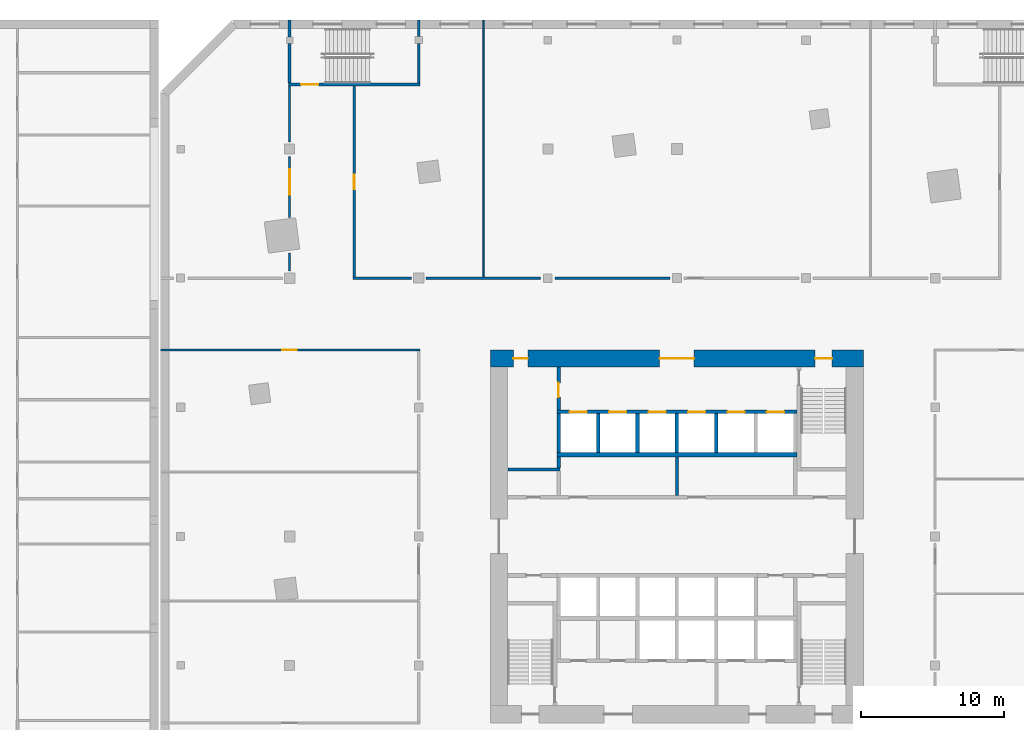
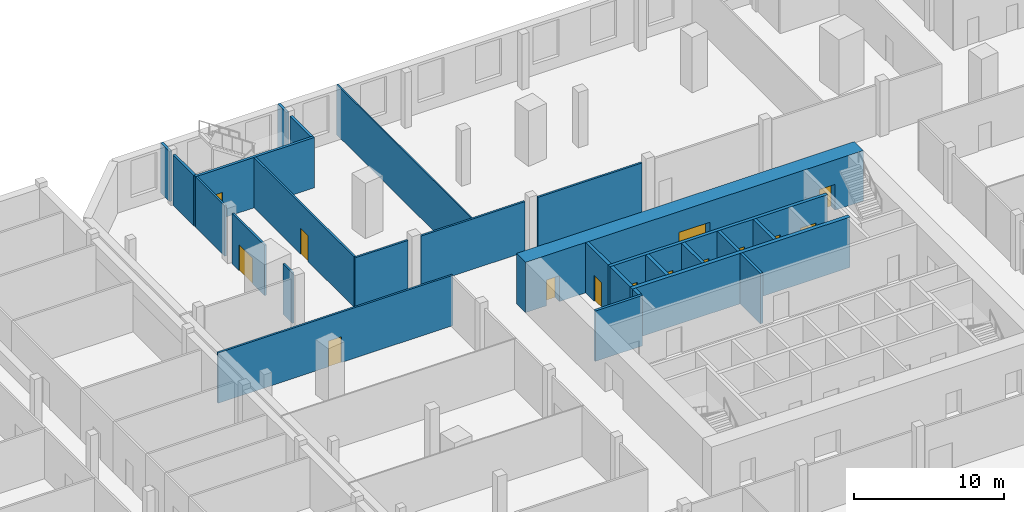
# One storey, part 11 of 20: 26 walls, 14 doors, 14 openings.
"""IFC4 building model written with IfcOpenShell, lengths in metres."""

from ifc_helpers import new_model, si_unit, direction, frame, frame_2d, origin, place, context, subcontext, project, spatial, rectangle, extrude, material, layer, layer_set, type_object, element, fill, save


model = new_model("IFC4")

# Units and contexts
model_context = context("Model", 3, precision=1e-05, world=origin(), true_north=direction((0.0, 1.0)))
body_context = subcontext(model_context, "Body", "Model", "MODEL_VIEW")
ifc_project = project(units=[si_unit("LENGTHUNIT", "METRE"), si_unit("AREAUNIT", "SQUARE_METRE"), si_unit("VOLUMEUNIT", "CUBIC_METRE"), si_unit("PLANEANGLEUNIT", "RADIAN"), si_unit("MASSUNIT", "GRAM", prefix="KILO")], contexts=[model_context])

# Site, building, storey
site_placement = place(None, origin())
site = spatial("IfcSite", under=ifc_project, at=site_placement, CompositionType="ELEMENT")
building_placement = place(site_placement, origin())
building = spatial("IfcBuilding", under=site, at=building_placement, Name="Dilmun Exchange Tower", CompositionType="ELEMENT")
storey_placement = place(building_placement, frame((0.0, 0.0, 9.0)))
storey = spatial("IfcBuildingStorey", under=building, at=storey_placement, Name="L02", CompositionType="ELEMENT", Elevation=9.0)

# Walls
ifc_material_1 = material(Name="Concrete C40/50", Category="concrete")
ifc_layer_1 = layer(ifc_material_1, 0.199951171875)
ifc_layer_set_1 = layer_set([ifc_layer_1], Name="Concrete C40/50")
wall_type_1 = type_object("IfcWallType", Name="Core partition wall 200", PredefinedType="PARTITIONING", material=ifc_layer_set_1)
wall_1_placement = place(storey_placement, frame((0.0, 2.85498046875, 0.0), z_axis=(0.0, 0.0, 1.0), x_axis=(0.0, 1.0, 0.0)))
element("IfcWall", 1, at=wall_1_placement, inside=storey, type_object=wall_type_1, Name="L02 core partition wall 10", PredefinedType="PARTITIONING", context=body_context, shape_type="SweptSolid", body=[
    extrude(rectangle(XDim=2.68994140625, YDim=0.199951171875, at=frame_2d((1.344970703125, 0.0))), origin(), (0.0, 0.0, 1.0), 4.10009765625),
])
wall_2_placement = place(storey_placement, frame((-11.794921875, 4.675048828125, 0.0), z_axis=(0.0, 0.0, 1.0), x_axis=(1.0, 0.0, 0.0)))
element("IfcWall", 2, at=wall_2_placement, inside=storey, type_object=wall_type_1, Name="L02 core partition wall 12", PredefinedType="PARTITIONING", context=body_context, shape_type="SweptSolid", body=[
    extrude(rectangle(XDim=3.64501953125, YDim=0.199951171875, at=frame_2d((1.822509765625, 0.0))), origin(), (0.0, 0.0, 1.0), 4.10009765625),
])
ifc_layer_2 = layer(ifc_material_1, 0.25)
ifc_layer_set_2 = layer_set([ifc_layer_2], Name="Concrete C40/50")
wall_type_2 = type_object("IfcWallType", Name="Core partition wall 250", PredefinedType="PARTITIONING", material=ifc_layer_set_2)
wall_3_placement = place(storey_placement, frame((-8.25, 4.780029296875, 0.0), z_axis=(0.0, 0.0, 1.0), x_axis=(0.0, 1.0, 0.0)))
element("IfcWall", 3, at=wall_3_placement, inside=storey, type_object=wall_type_2, Name="L02 core partition wall 13", PredefinedType="PARTITIONING", context=body_context, shape_type="SweptSolid", body=[
    extrude(rectangle(XDim=0.764892578125, YDim=0.25, at=frame_2d((0.38232421875, 0.0))), origin(), (0.0, 0.0, 1.0), 4.10009765625),
])

# Wall, opening, door
wall_4_placement = place(storey_placement, frame((-8.25, 8.804931640625, 0.0), z_axis=(0.0, 0.0, 1.0), x_axis=(0.0, 1.0, 0.0)))
wall_4 = element("IfcWall", 4, at=wall_4_placement, inside=storey, type_object=wall_type_2, Name="L02 core partition wall 14", PredefinedType="PARTITIONING", context=body_context, shape_type="SweptSolid", body=[
    extrude(rectangle(XDim=2.989990234375, YDim=0.25, at=frame_2d((1.4951171875, 0.0))), origin(), (0.0, 0.0, 1.0), 4.10009765625),
])
opening_1_placement = place(wall_4_placement, frame((0.89501953125, 0.0, 0.0)))
opening_1 = element("IfcOpeningElement", 5, at=opening_1_placement, cuts=wall_4, Name="Opening CD4", PredefinedType="OPENING", context=body_context, shape_type="SweptSolid", body=[
    extrude(rectangle(XDim=1.0, YDim=2.10009765625, at=frame_2d((0.5, 1.050048828125))), frame((0.0, 0.135009765625, 0.0), z_axis=(0.0, -1.0, 0.0), x_axis=(1.0, 0.0, 0.0)), (0.0, 0.0, 1.0), 0.27001953125),
])
ifc_material_2 = material(Name="Fire-rated steel door set", Category="steel")
door_type_1 = type_object("IfcDoorType", Name="Core room door 1000x2100", OperationType="SINGLE_SWING_LEFT", PredefinedType="DOOR", material=ifc_material_2)
door_1_placement = place(opening_1_placement, origin())
door_1 = element("IfcDoor", 6, at=door_1_placement, inside=storey, type_object=door_type_1, Name="L02 door Building services room", OperationType="SINGLE_SWING_LEFT", OverallHeight=2.10009765625, OverallWidth=1.0, PredefinedType="DOOR", context=body_context, shape_type="SweptSolid", body=[
    extrude(rectangle(XDim=1.0, YDim=2.10009765625, at=frame_2d((0.5, 1.050048828125))), frame((0.0, 0.02490234375, 0.0), z_axis=(0.0, -1.0, 0.0), x_axis=(1.0, 0.0, 0.0)), (0.0, 0.0, 1.0), 0.050048828125),
])
fill(opening_1, door_1)

# Wall, openings, doors
ifc_material_3 = material(Name="Concrete C80/95", Category="concrete")
ifc_layer_3 = layer(ifc_material_3, 1.199951171875)
ifc_layer_set_3 = layer_set([ifc_layer_3], Name="Concrete C80/95")
wall_type_3 = type_object("IfcWallType", Name="Core shear wall 1200 Concrete C80/95", PredefinedType="SHEAR", material=ifc_layer_set_3)
wall_5_placement = place(storey_placement, frame((-13.0, 12.39990234375, 0.0), z_axis=(0.0, 0.0, 1.0), x_axis=(1.0, 0.0, 0.0)))
wall_5 = element("IfcWall", 7, at=wall_5_placement, inside=storey, type_object=wall_type_3, Name="L02 core shear wall N", PredefinedType="SHEAR", context=body_context, shape_type="SweptSolid", body=[
    extrude(rectangle(XDim=26.0, YDim=1.199951171875, at=frame_2d((13.0, 0.0))), origin(), (0.0, 0.0, 1.0), 4.10009765625),
])
opening_2_placement = place(wall_5_placement, frame((11.800048828125, 0.0, 0.0)))
opening_2 = element("IfcOpeningElement", 8, at=opening_2_placement, cuts=wall_5, Name="Opening CD1", PredefinedType="OPENING", context=body_context, shape_type="SweptSolid", body=[
    extrude(rectangle(XDim=2.39990234375, YDim=2.39990234375, at=frame_2d((1.199951171875, 1.199951171875))), frame((0.0, 0.60986328125, 0.0), z_axis=(0.0, -1.0, 0.0), x_axis=(1.0, 0.0, 0.0)), (0.0, 0.0, 1.0), 1.219970703125),
])
opening_3_placement = place(wall_5_placement, frame((22.625, 0.0, 0.0)))
opening_3 = element("IfcOpeningElement", 9, at=opening_3_placement, cuts=wall_5, Name="Opening CD3", PredefinedType="OPENING", context=body_context, shape_type="SweptSolid", body=[
    extrude(rectangle(XDim=1.199951171875, YDim=2.10009765625, at=frame_2d((0.60009765625, 1.050048828125))), frame((0.0, 0.60986328125, 0.0), z_axis=(0.0, -1.0, 0.0), x_axis=(1.0, 0.0, 0.0)), (0.0, 0.0, 1.0), 1.219970703125),
])
opening_4_placement = place(wall_5_placement, frame((1.60009765625, 0.0, 0.0)))
opening_4 = element("IfcOpeningElement", 10, at=opening_4_placement, cuts=wall_5, Name="Opening CD4", PredefinedType="OPENING", context=body_context, shape_type="SweptSolid", body=[
    extrude(rectangle(XDim=1.0, YDim=2.10009765625, at=frame_2d((0.5, 1.050048828125))), frame((0.0, 0.60986328125, 0.0), z_axis=(0.0, -1.0, 0.0), x_axis=(1.0, 0.0, 0.0)), (0.0, 0.0, 1.0), 1.219970703125),
])
door_type_2 = type_object("IfcDoorType", Name="Core lobby door 2400x2400", OperationType="DOUBLE_DOOR_DOUBLE_SWING", PredefinedType="DOOR", material=ifc_material_2)
door_2_placement = place(opening_2_placement, origin())
door_2 = element("IfcDoor", 11, at=door_2_placement, inside=storey, type_object=door_type_2, Name="L02 door North lift lobby", OperationType="SINGLE_SWING_LEFT", OverallHeight=2.39990234375, OverallWidth=2.39990234375, PredefinedType="DOOR", context=body_context, shape_type="SweptSolid", body=[
    extrude(rectangle(XDim=2.39990234375, YDim=2.39990234375, at=frame_2d((1.199951171875, 1.199951171875))), frame((0.0, 0.02490234375, 0.0), z_axis=(0.0, -1.0, 0.0), x_axis=(1.0, 0.0, 0.0)), (0.0, 0.0, 1.0), 0.050048828125),
])
fill(opening_2, door_2)
door_3_placement = place(opening_4_placement, origin())
door_3 = element("IfcDoor", 12, at=door_3_placement, inside=storey, type_object=door_type_1, Name="L02 door North-west core rooms", OperationType="SINGLE_SWING_LEFT", OverallHeight=2.10009765625, OverallWidth=1.0, PredefinedType="DOOR", context=body_context, shape_type="SweptSolid", body=[
    extrude(rectangle(XDim=1.0, YDim=2.10009765625, at=frame_2d((0.5, 1.050048828125))), frame((0.0, 0.02490234375, 0.0), z_axis=(0.0, -1.0, 0.0), x_axis=(1.0, 0.0, 0.0)), (0.0, 0.0, 1.0), 0.050048828125),
])
fill(opening_4, door_3)
door_type_3 = type_object("IfcDoorType", Name="Stair exit door 1200x2100", OperationType="SINGLE_SWING_LEFT", PredefinedType="DOOR", material=ifc_material_2)
door_4_placement = place(opening_3_placement, origin())
door_4 = element("IfcDoor", 13, at=door_4_placement, inside=storey, type_object=door_type_3, Name="L02 door Stair ST1", OperationType="SINGLE_SWING_LEFT", OverallHeight=2.10009765625, OverallWidth=1.199951171875, PredefinedType="DOOR", context=body_context, shape_type="SweptSolid", body=[
    extrude(rectangle(XDim=1.199951171875, YDim=2.10009765625, at=frame_2d((0.60009765625, 1.050048828125))), frame((0.0, 0.02490234375, 0.0), z_axis=(0.0, -1.0, 0.0), x_axis=(1.0, 0.0, 0.0)), (0.0, 0.0, 1.0), 0.050048828125),
])
fill(opening_3, door_4)

# Wall, opening, door
ifc_material_4 = material(Name="Fire partition EI 60 150 gypsum")
ifc_layer_4 = layer(ifc_material_4, 0.14990234375)
ifc_layer_set_4 = layer_set([ifc_layer_4], Name="Fire partition EI 60 150 gypsum")
wall_type_4 = type_object("IfcWallType", Name="Fire partition EI 60 150 gypsum", PredefinedType="PARTITIONING", material=ifc_layer_set_4)
wall_6_placement = place(storey_placement, frame((-36.0, 13.0, 0.0), z_axis=(0.0, 0.0, 1.0), x_axis=(1.0, 0.0, 0.0)))
wall_6 = element("IfcWall", 14, at=wall_6_placement, inside=storey, type_object=wall_type_4, Name="L02 partition", PredefinedType="PARTITIONING", context=body_context, shape_type="SweptSolid", body=[
    extrude(rectangle(XDim=18.074951171875, YDim=0.14990234375, at=frame_2d((9.03759765625, 0.0))), origin(), (0.0, 0.0, 1.0), 4.10009765625),
])
opening_5_placement = place(wall_6_placement, frame((8.5, 0.0, 0.0)))
opening_5 = element("IfcOpeningElement", 15, at=opening_5_placement, cuts=wall_6, Name="Opening L02-D019", PredefinedType="OPENING", context=body_context, shape_type="SweptSolid", body=[
    extrude(rectangle(XDim=1.0, YDim=2.10009765625, at=frame_2d((0.5, 1.050048828125))), frame((0.0, 0.0849609375, 0.0), z_axis=(0.0, -1.0, 0.0), x_axis=(1.0, 0.0, 0.0)), (0.0, 0.0, 1.0), 0.169921875),
])
ifc_material_5 = material(Name="Fire door FD60 1000 x 2100")
door_type_4 = type_object("IfcDoorType", Name="Fire door FD60 1000 x 2100", OperationType="SINGLE_SWING_LEFT", PredefinedType="DOOR", material=ifc_material_5)
door_5_placement = place(opening_5_placement, origin())
door_5 = element("IfcDoor", 16, at=door_5_placement, inside=storey, type_object=door_type_4, Name="L02 door L02-D019", OperationType="SINGLE_SWING_LEFT", OverallHeight=2.10009765625, OverallWidth=1.0, PredefinedType="DOOR", context=body_context, shape_type="SweptSolid", body=[
    extrude(rectangle(XDim=1.0, YDim=2.10009765625, at=frame_2d((0.5, 1.050048828125))), frame((0.0, 0.02490234375, 0.0), z_axis=(0.0, -1.0, 0.0), x_axis=(1.0, 0.0, 0.0)), (0.0, 0.0, 1.0), 0.050048828125),
])
fill(opening_5, door_5)

# Walls
wall_7_placement = place(storey_placement, frame((-22.574951171875, 18.0, 0.0), z_axis=(0.0, 0.0, 1.0), x_axis=(1.0, 0.0, 0.0)))
element("IfcWall", 17, at=wall_7_placement, inside=storey, type_object=wall_type_4, Name="L02 partition", PredefinedType="PARTITIONING", context=body_context, shape_type="SweptSolid", body=[
    extrude(rectangle(XDim=4.074951171875, YDim=0.14990234375, at=frame_2d((2.03759765625, 0.0))), origin(), (0.0, 0.0, 1.0), 4.10009765625),
])
for number, where, z_axis, x_axis, name in (
    (18, (-17.5, 18.0, 0.0), (0.0, 0.0, 1.0), (1.0, 0.0, 0.0), "L02 partition"),
    (19, (-8.5, 18.0, 0.0), (0.0, 0.0, 1.0), (1.0, 0.0, 0.0), "L02 partition"),
):
    element("IfcWall", number, at=place(storey_placement, frame(where, z_axis=z_axis, x_axis=x_axis)), inside=storey, type_object=wall_type_4, Name=name, PredefinedType="PARTITIONING", context=body_context, shape_type="SweptSolid", body=[
        extrude(rectangle(XDim=8.0, YDim=0.14990234375, at=frame_2d((4.0, 0.0))), origin(), (0.0, 0.0, 1.0), 4.10009765625),
    ])
wall_8_placement = place(storey_placement, frame((-27.0, 18.5, 0.0), z_axis=(0.0, 0.0, 1.0), x_axis=(0.0, 1.0, 0.0)))
element("IfcWall", 20, at=wall_8_placement, inside=storey, type_object=wall_type_4, Name="L02 partition", PredefinedType="PARTITIONING", context=body_context, shape_type="SweptSolid", body=[
    extrude(rectangle(XDim=1.24169921875, YDim=0.14990234375, at=frame_2d((0.620849609375, 0.0))), origin(), (0.0, 0.0, 1.0), 4.10009765625),
])

# Wall, opening, door
wall_9_placement = place(storey_placement, frame((-27.0, 22.21630859375, 0.0), z_axis=(0.0, 0.0, 1.0), x_axis=(0.0, 1.0, 0.0)))
wall_9 = element("IfcWall", 21, at=wall_9_placement, inside=storey, type_object=wall_type_4, Name="L02 partition", PredefinedType="PARTITIONING", context=body_context, shape_type="SweptSolid", body=[
    extrude(rectangle(XDim=4.28369140625, YDim=0.14990234375, at=frame_2d((2.141845703125, 0.0))), origin(), (0.0, 0.0, 1.0), 4.10009765625),
])
opening_6_placement = place(wall_9_placement, frame((1.583740234375, 0.0, 0.0)))
opening_6 = element("IfcOpeningElement", 22, at=opening_6_placement, cuts=wall_9, Name="Opening L02-D008", PredefinedType="OPENING", context=body_context, shape_type="SweptSolid", body=[
    extrude(rectangle(XDim=1.800048828125, YDim=2.10009765625, at=frame_2d((0.89990234375, 1.050048828125))), frame((0.0, 0.0849609375, 0.0), z_axis=(0.0, -1.0, 0.0), x_axis=(1.0, 0.0, 0.0)), (0.0, 0.0, 1.0), 0.169921875),
])
ifc_material_6 = material(Name="Fire door FD60 double 1800 x 2100")
door_type_5 = type_object("IfcDoorType", Name="Fire door FD60 double 1800 x 2100", OperationType="DOUBLE_DOOR_SINGLE_SWING", PredefinedType="DOOR", material=ifc_material_6)
door_6_placement = place(opening_6_placement, origin())
door_6 = element("IfcDoor", 23, at=door_6_placement, inside=storey, type_object=door_type_5, Name="L02 door L02-D008", OperationType="DOUBLE_DOOR_SINGLE_SWING", OverallHeight=2.10009765625, OverallWidth=1.800048828125, PredefinedType="DOOR", context=body_context, shape_type="SweptSolid", body=[
    extrude(rectangle(XDim=1.800048828125, YDim=2.10009765625, at=frame_2d((0.89990234375, 1.050048828125))), frame((0.0, 0.02490234375, 0.0), z_axis=(0.0, -1.0, 0.0), x_axis=(1.0, 0.0, 0.0)), (0.0, 0.0, 1.0), 0.050048828125),
])
fill(opening_6, door_6)

# Wall
wall_10_placement = place(storey_placement, frame((-27.0, 27.5, 0.0), z_axis=(0.0, 0.0, 1.0), x_axis=(0.0, 1.0, 0.0)))
element("IfcWall", 24, at=wall_10_placement, inside=storey, type_object=wall_type_4, Name="L02 partition", PredefinedType="PARTITIONING", context=body_context, shape_type="SweptSolid", body=[
    extrude(rectangle(XDim=3.89990234375, YDim=0.14990234375, at=frame_2d((1.949951171875, 0.0))), origin(), (0.0, 0.0, 1.0), 4.10009765625),
])

# Wall, opening, door
wall_11_placement = place(storey_placement, frame((-22.5, 18.074951171875, 0.0), z_axis=(0.0, 0.0, 1.0), x_axis=(0.0, 1.0, 0.0)))
wall_11 = element("IfcWall", 25, at=wall_11_placement, inside=storey, type_object=wall_type_4, Name="L02 partition", PredefinedType="PARTITIONING", context=body_context, shape_type="SweptSolid", body=[
    extrude(rectangle(XDim=13.324951171875, YDim=0.14990234375, at=frame_2d((6.66259765625, 0.0))), origin(), (0.0, 0.0, 1.0), 4.10009765625),
])
opening_7_placement = place(wall_11_placement, frame((6.125, 0.0, 0.0)))
opening_7 = element("IfcOpeningElement", 26, at=opening_7_placement, cuts=wall_11, Name="Opening L02-D009", PredefinedType="OPENING", context=body_context, shape_type="SweptSolid", body=[
    extrude(rectangle(XDim=1.0, YDim=2.10009765625, at=frame_2d((0.5, 1.050048828125))), frame((0.0, 0.0849609375, 0.0), z_axis=(0.0, -1.0, 0.0), x_axis=(1.0, 0.0, 0.0)), (0.0, 0.0, 1.0), 0.169921875),
])
door_7_placement = place(opening_7_placement, origin())
door_7 = element("IfcDoor", 27, at=door_7_placement, inside=storey, type_object=door_type_4, Name="L02 door L02-D009", OperationType="SINGLE_SWING_LEFT", OverallHeight=2.10009765625, OverallWidth=1.0, PredefinedType="DOOR", context=body_context, shape_type="SweptSolid", body=[
    extrude(rectangle(XDim=1.0, YDim=2.10009765625, at=frame_2d((0.5, 1.050048828125))), frame((0.0, 0.02490234375, 0.0), z_axis=(0.0, -1.0, 0.0), x_axis=(1.0, 0.0, 0.0)), (0.0, 0.0, 1.0), 0.050048828125),
])
fill(opening_7, door_7)

ifc_material_7 = material(Name="Fire wall EI 120 200 blockwork", Category="masonry")
ifc_layer_5 = layer(ifc_material_7, 0.199951171875)
ifc_layer_set_5 = layer_set([ifc_layer_5], Name="Fire wall EI 120 200 blockwork")
wall_type_5 = type_object("IfcWallType", Name="Fire wall EI 120 200 blockwork", PredefinedType="PARTITIONING", material=ifc_layer_set_5)
wall_12_placement = place(storey_placement, frame((-27.074951171875, 31.5, 0.0), z_axis=(0.0, 0.0, 1.0), x_axis=(1.0, 0.0, 0.0)))
wall_12 = element("IfcWall", 28, at=wall_12_placement, inside=storey, type_object=wall_type_5, Name="L02 stair wall", PredefinedType="PARTITIONING", context=body_context, shape_type="SweptSolid", body=[
    extrude(rectangle(XDim=9.175048828125, YDim=0.199951171875, at=frame_2d((4.58740234375, 0.0))), origin(), (0.0, 0.0, 1.0), 4.10009765625),
])
opening_8_placement = place(wall_12_placement, frame((0.875, 0.0, 0.0)))
opening_8 = element("IfcOpeningElement", 29, at=opening_8_placement, cuts=wall_12, Name="Opening L02-D001", PredefinedType="OPENING", context=body_context, shape_type="SweptSolid", body=[
    extrude(rectangle(XDim=1.199951171875, YDim=2.10009765625, at=frame_2d((0.60009765625, 1.050048828125))), frame((0.0, 0.10986328125, 0.0), z_axis=(0.0, -1.0, 0.0), x_axis=(1.0, 0.0, 0.0)), (0.0, 0.0, 1.0), 0.219970703125),
])
ifc_material_8 = material(Name="Stair door FD90 1200 x 2100")
door_type_6 = type_object("IfcDoorType", Name="Stair door FD90 1200 x 2100", OperationType="SINGLE_SWING_LEFT", PredefinedType="DOOR", material=ifc_material_8)
door_8_placement = place(opening_8_placement, origin())
door_8 = element("IfcDoor", 30, at=door_8_placement, inside=storey, type_object=door_type_6, Name="L02 door L02-D001", OperationType="SINGLE_SWING_LEFT", OverallHeight=2.10009765625, OverallWidth=1.199951171875, PredefinedType="DOOR", context=body_context, shape_type="SweptSolid", body=[
    extrude(rectangle(XDim=1.199951171875, YDim=2.10009765625, at=frame_2d((0.60009765625, 1.050048828125))), frame((0.0, 0.02490234375, 0.0), z_axis=(0.0, -1.0, 0.0), x_axis=(1.0, 0.0, 0.0)), (0.0, 0.0, 1.0), 0.050048828125),
])
fill(opening_8, door_8)

# Walls
wall_13_placement = place(storey_placement, frame((-27.0, 31.60009765625, 0.0), z_axis=(0.0, 0.0, 1.0), x_axis=(0.0, 1.0, 0.0)))
element("IfcWall", 31, at=wall_13_placement, inside=storey, type_object=wall_type_5, Name="L02 stair wall", PredefinedType="PARTITIONING", context=body_context, shape_type="SweptSolid", body=[
    extrude(rectangle(XDim=2.77490234375, YDim=0.199951171875, at=frame_2d((1.387451171875, 0.0))), origin(), (0.0, 0.0, 1.0), 4.10009765625),
])
wall_14_placement = place(storey_placement, frame((-27.0, 34.824951171875, 0.0), z_axis=(0.0, 0.0, 1.0), x_axis=(0.0, 1.0, 0.0)))
element("IfcWall", 32, at=wall_14_placement, inside=storey, type_object=wall_type_5, Name="L02 stair wall", PredefinedType="PARTITIONING", context=body_context, shape_type="SweptSolid", body=[
    extrude(rectangle(XDim=1.175048828125, YDim=0.199951171875, at=frame_2d((0.58740234375, 0.0))), origin(), (0.0, 0.0, 1.0), 4.10009765625),
])
wall_15_placement = place(storey_placement, frame((-18.0, 31.60009765625, 0.0), z_axis=(0.0, 0.0, 1.0), x_axis=(0.0, 1.0, 0.0)))
element("IfcWall", 33, at=wall_15_placement, inside=storey, type_object=wall_type_5, Name="L02 stair wall", PredefinedType="PARTITIONING", context=body_context, shape_type="SweptSolid", body=[
    extrude(rectangle(XDim=2.75, YDim=0.199951171875, at=frame_2d((1.375, 0.0))), origin(), (0.0, 0.0, 1.0), 4.10009765625),
])
wall_16_placement = place(storey_placement, frame((-18.0, 34.85009765625, 0.0), z_axis=(0.0, 0.0, 1.0), x_axis=(0.0, 1.0, 0.0)))
element("IfcWall", 34, at=wall_16_placement, inside=storey, type_object=wall_type_5, Name="L02 stair wall", PredefinedType="PARTITIONING", context=body_context, shape_type="SweptSolid", body=[
    extrude(rectangle(XDim=1.14990234375, YDim=0.199951171875, at=frame_2d((0.574951171875, 0.0))), origin(), (0.0, 0.0, 1.0), 4.10009765625),
])
ifc_layer_6 = layer(ifc_material_1, 0.300048828125)
ifc_layer_set_6 = layer_set([ifc_layer_6], Name="Concrete C40/50")
wall_type_6 = type_object("IfcWallType", Name="Lift shaft shared wall 300", PredefinedType="SOLIDWALL", material=ifc_layer_set_6)
wall_17_placement = place(storey_placement, frame((-8.375, 5.699951171875, 0.0), z_axis=(0.0, 0.0, 1.0), x_axis=(1.0, 0.0, 0.0)))
element("IfcWall", 35, at=wall_17_placement, inside=storey, type_object=wall_type_6, Name="L02 lift shaft rear wall N", PredefinedType="SOLIDWALL", context=body_context, shape_type="SweptSolid", body=[
    extrude(rectangle(XDim=16.75, YDim=0.300048828125, at=frame_2d((8.375, 0.0))), origin(), (0.0, 0.0, 1.0), 4.10009765625),
])

# Wall, openings, doors
ifc_layer_7 = layer(ifc_material_1, 0.25)
ifc_layer_set_7 = layer_set([ifc_layer_7], Name="Concrete C40/50")
wall_type_7 = type_object("IfcWallType", Name="Lift shaft wall 250", PredefinedType="SOLIDWALL", material=ifc_layer_set_7)
wall_18_placement = place(storey_placement, frame((-8.375, 8.675048828125, 0.0), z_axis=(0.0, 0.0, 1.0), x_axis=(1.0, 0.0, 0.0)))
wall_18 = element("IfcWall", 36, at=wall_18_placement, inside=storey, type_object=wall_type_7, Name="L02 lift shaft front wall N2", PredefinedType="SOLIDWALL", context=body_context, shape_type="SweptSolid", body=[
    extrude(rectangle(XDim=16.75, YDim=0.25, at=frame_2d((8.375, 0.0))), origin(), (0.0, 0.0, 1.0), 4.10009765625),
])
opening_9_placement = place(wall_18_placement, frame((0.89990234375, 0.0, 0.0)))
opening_9 = element("IfcOpeningElement", 37, at=opening_9_placement, cuts=wall_18, Name="Opening LD", PredefinedType="OPENING", context=body_context, shape_type="SweptSolid", body=[
    extrude(rectangle(XDim=1.199951171875, YDim=2.10009765625, at=frame_2d((0.60009765625, 1.050048828125))), frame((0.0, 0.135009765625, 0.0), z_axis=(0.0, -1.0, 0.0), x_axis=(1.0, 0.0, 0.0)), (0.0, 0.0, 1.0), 0.27001953125),
])
opening_10_placement = place(wall_18_placement, frame((3.64990234375, 0.0, 0.0)))
opening_10 = element("IfcOpeningElement", 38, at=opening_10_placement, cuts=wall_18, Name="Opening LD", PredefinedType="OPENING", context=body_context, shape_type="SweptSolid", body=[
    extrude(rectangle(XDim=1.199951171875, YDim=2.10009765625, at=frame_2d((0.60009765625, 1.050048828125))), frame((0.0, 0.135009765625, 0.0), z_axis=(0.0, -1.0, 0.0), x_axis=(1.0, 0.0, 0.0)), (0.0, 0.0, 1.0), 0.27001953125),
])
opening_11_placement = place(wall_18_placement, frame((6.39990234375, 0.0, 0.0)))
opening_11 = element("IfcOpeningElement", 39, at=opening_11_placement, cuts=wall_18, Name="Opening LD", PredefinedType="OPENING", context=body_context, shape_type="SweptSolid", body=[
    extrude(rectangle(XDim=1.199951171875, YDim=2.10009765625, at=frame_2d((0.60009765625, 1.050048828125))), frame((0.0, 0.135009765625, 0.0), z_axis=(0.0, -1.0, 0.0), x_axis=(1.0, 0.0, 0.0)), (0.0, 0.0, 1.0), 0.27001953125),
])
opening_12_placement = place(wall_18_placement, frame((9.14990234375, 0.0, 0.0)))
opening_12 = element("IfcOpeningElement", 40, at=opening_12_placement, cuts=wall_18, Name="Opening LD", PredefinedType="OPENING", context=body_context, shape_type="SweptSolid", body=[
    extrude(rectangle(XDim=1.199951171875, YDim=2.10009765625, at=frame_2d((0.60009765625, 1.050048828125))), frame((0.0, 0.135009765625, 0.0), z_axis=(0.0, -1.0, 0.0), x_axis=(1.0, 0.0, 0.0)), (0.0, 0.0, 1.0), 0.27001953125),
])
opening_13_placement = place(wall_18_placement, frame((11.89990234375, 0.0, 0.0)))
opening_13 = element("IfcOpeningElement", 41, at=opening_13_placement, cuts=wall_18, Name="Opening LD", PredefinedType="OPENING", context=body_context, shape_type="SweptSolid", body=[
    extrude(rectangle(XDim=1.199951171875, YDim=2.10009765625, at=frame_2d((0.60009765625, 1.050048828125))), frame((0.0, 0.135009765625, 0.0), z_axis=(0.0, -1.0, 0.0), x_axis=(1.0, 0.0, 0.0)), (0.0, 0.0, 1.0), 0.27001953125),
])
opening_14_placement = place(wall_18_placement, frame((14.64990234375, 0.0, 0.0)))
opening_14 = element("IfcOpeningElement", 42, at=opening_14_placement, cuts=wall_18, Name="Opening LD", PredefinedType="OPENING", context=body_context, shape_type="SweptSolid", body=[
    extrude(rectangle(XDim=1.199951171875, YDim=2.10009765625, at=frame_2d((0.60009765625, 1.050048828125))), frame((0.0, 0.135009765625, 0.0), z_axis=(0.0, -1.0, 0.0), x_axis=(1.0, 0.0, 0.0)), (0.0, 0.0, 1.0), 0.27001953125),
])
door_type_7 = type_object("IfcDoorType", Name="Lift landing door 1200x2100", OperationType="DOUBLE_DOOR_SLIDING", PredefinedType="DOOR", material=ifc_material_2)
door_9_placement = place(opening_9_placement, origin())
door_9 = element("IfcDoor", 43, at=door_9_placement, inside=storey, type_object=door_type_7, Name="L02 landing door LR1", OperationType="DOUBLE_DOOR_SLIDING", OverallHeight=2.10009765625, OverallWidth=1.199951171875, PredefinedType="DOOR", context=body_context, shape_type="SweptSolid", body=[
    extrude(rectangle(XDim=1.199951171875, YDim=2.10009765625, at=frame_2d((0.60009765625, 1.050048828125))), frame((0.0, 0.02490234375, 0.0), z_axis=(0.0, -1.0, 0.0), x_axis=(1.0, 0.0, 0.0)), (0.0, 0.0, 1.0), 0.050048828125),
])
fill(opening_9, door_9)
door_10_placement = place(opening_10_placement, origin())
door_10 = element("IfcDoor", 44, at=door_10_placement, inside=storey, type_object=door_type_7, Name="L02 landing door LR2", OperationType="DOUBLE_DOOR_SLIDING", OverallHeight=2.10009765625, OverallWidth=1.199951171875, PredefinedType="DOOR", context=body_context, shape_type="SweptSolid", body=[
    extrude(rectangle(XDim=1.199951171875, YDim=2.10009765625, at=frame_2d((0.60009765625, 1.050048828125))), frame((0.0, 0.02490234375, 0.0), z_axis=(0.0, -1.0, 0.0), x_axis=(1.0, 0.0, 0.0)), (0.0, 0.0, 1.0), 0.050048828125),
])
fill(opening_10, door_10)
door_11_placement = place(opening_11_placement, origin())
door_11 = element("IfcDoor", 45, at=door_11_placement, inside=storey, type_object=door_type_7, Name="L02 landing door LR3", OperationType="DOUBLE_DOOR_SLIDING", OverallHeight=2.10009765625, OverallWidth=1.199951171875, PredefinedType="DOOR", context=body_context, shape_type="SweptSolid", body=[
    extrude(rectangle(XDim=1.199951171875, YDim=2.10009765625, at=frame_2d((0.60009765625, 1.050048828125))), frame((0.0, 0.02490234375, 0.0), z_axis=(0.0, -1.0, 0.0), x_axis=(1.0, 0.0, 0.0)), (0.0, 0.0, 1.0), 0.050048828125),
])
fill(opening_11, door_11)
door_12_placement = place(opening_12_placement, origin())
door_12 = element("IfcDoor", 46, at=door_12_placement, inside=storey, type_object=door_type_7, Name="L02 landing door LR4", OperationType="DOUBLE_DOOR_SLIDING", OverallHeight=2.10009765625, OverallWidth=1.199951171875, PredefinedType="DOOR", context=body_context, shape_type="SweptSolid", body=[
    extrude(rectangle(XDim=1.199951171875, YDim=2.10009765625, at=frame_2d((0.60009765625, 1.050048828125))), frame((0.0, 0.02490234375, 0.0), z_axis=(0.0, -1.0, 0.0), x_axis=(1.0, 0.0, 0.0)), (0.0, 0.0, 1.0), 0.050048828125),
])
fill(opening_12, door_12)
door_13_placement = place(opening_13_placement, origin())
door_13 = element("IfcDoor", 47, at=door_13_placement, inside=storey, type_object=door_type_7, Name="L02 landing door LR5", OperationType="DOUBLE_DOOR_SLIDING", OverallHeight=2.10009765625, OverallWidth=1.199951171875, PredefinedType="DOOR", context=body_context, shape_type="SweptSolid", body=[
    extrude(rectangle(XDim=1.199951171875, YDim=2.10009765625, at=frame_2d((0.60009765625, 1.050048828125))), frame((0.0, 0.02490234375, 0.0), z_axis=(0.0, -1.0, 0.0), x_axis=(1.0, 0.0, 0.0)), (0.0, 0.0, 1.0), 0.050048828125),
])
fill(opening_13, door_13)
door_14_placement = place(opening_14_placement, origin())
door_14 = element("IfcDoor", 48, at=door_14_placement, inside=storey, type_object=door_type_7, Name="L02 landing door LR6", OperationType="DOUBLE_DOOR_SLIDING", OverallHeight=2.10009765625, OverallWidth=1.199951171875, PredefinedType="DOOR", context=body_context, shape_type="SweptSolid", body=[
    extrude(rectangle(XDim=1.199951171875, YDim=2.10009765625, at=frame_2d((0.60009765625, 1.050048828125))), frame((0.0, 0.02490234375, 0.0), z_axis=(0.0, -1.0, 0.0), x_axis=(1.0, 0.0, 0.0)), (0.0, 0.0, 1.0), 0.050048828125),
])
fill(opening_14, door_14)

# Walls
for number, where, z_axis, x_axis, name in (
    (49, (-8.25, 5.85009765625, 0.0), (0.0, 0.0, 1.0), (0.0, 1.0, 0.0), "L02 lift shaft divider N20"),
    (50, (-5.5, 5.85009765625, 0.0), (0.0, 0.0, 1.0), (0.0, 1.0, 0.0), "L02 lift shaft divider N21"),
    (51, (-2.75, 5.85009765625, 0.0), (0.0, 0.0, 1.0), (0.0, 1.0, 0.0), "L02 lift shaft divider N22"),
    (52, (0.0, 5.85009765625, 0.0), (0.0, 0.0, 1.0), (0.0, 1.0, 0.0), "L02 lift shaft divider N23"),
    (53, (2.75, 5.85009765625, 0.0), (0.0, 0.0, 1.0), (0.0, 1.0, 0.0), "L02 lift shaft divider N24"),
):
    element("IfcWall", number, at=place(storey_placement, frame(where, z_axis=z_axis, x_axis=x_axis)), inside=storey, type_object=wall_type_7, Name=name, PredefinedType="SOLIDWALL", context=body_context, shape_type="SweptSolid", body=[
        extrude(rectangle(XDim=2.699951171875, YDim=0.25, at=frame_2d((1.35009765625, 0.0))), origin(), (0.0, 0.0, 1.0), 4.10009765625),
    ])
ifc_material_9 = material(Name="Partition 100 gypsum")
ifc_layer_8 = layer(ifc_material_9, 0.10009765625)
ifc_layer_set_8 = layer_set([ifc_layer_8], Name="Partition 100 gypsum")
wall_type_8 = type_object("IfcWallType", Name="Partition 100 gypsum", PredefinedType="PARTITIONING", material=ifc_layer_set_8)
wall_19_placement = place(storey_placement, frame((-13.5, 18.074951171875, 0.0), z_axis=(0.0, 0.0, 1.0), x_axis=(0.0, 1.0, 0.0)))
element("IfcWall", 54, at=wall_19_placement, inside=storey, type_object=wall_type_8, Name="L02 partition", PredefinedType="PARTITIONING", context=body_context, shape_type="SweptSolid", body=[
    extrude(rectangle(XDim=17.925048828125, YDim=0.10009765625, at=frame_2d((8.96240234375, 0.0))), origin(), (0.0, 0.0, 1.0), 4.10009765625),
])

save(model, "model.ifc")
